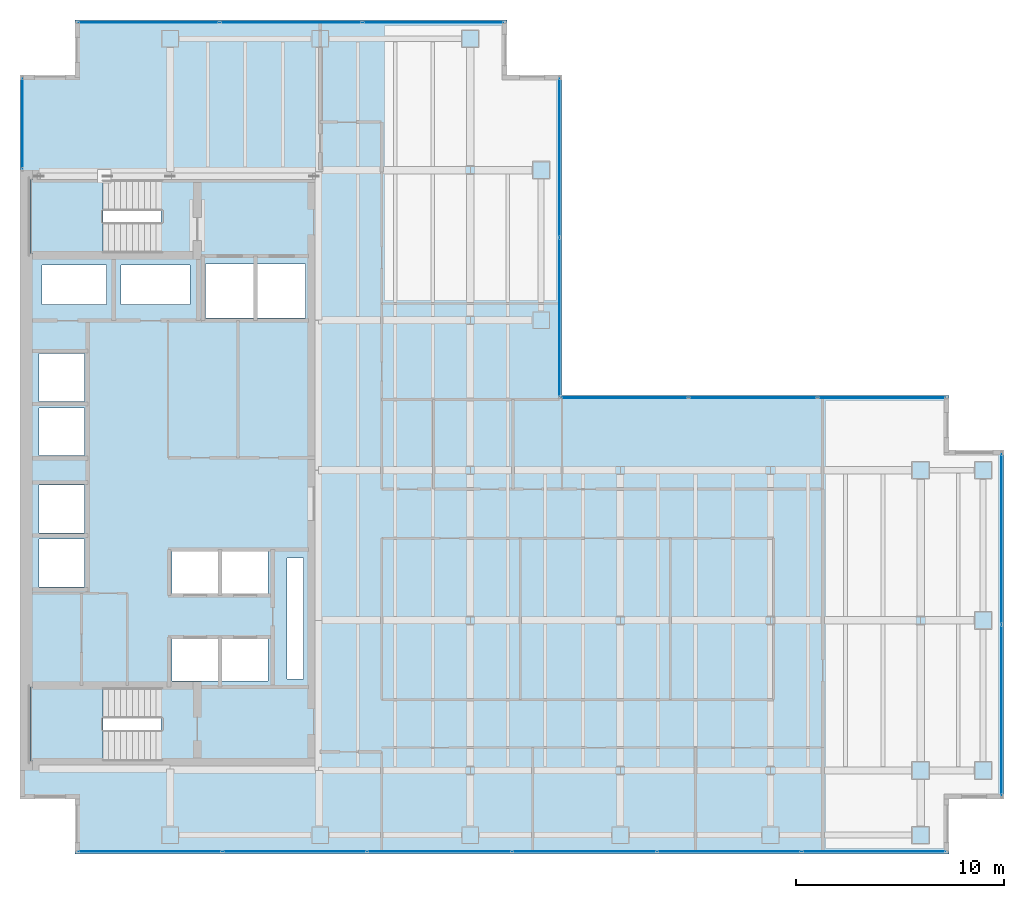
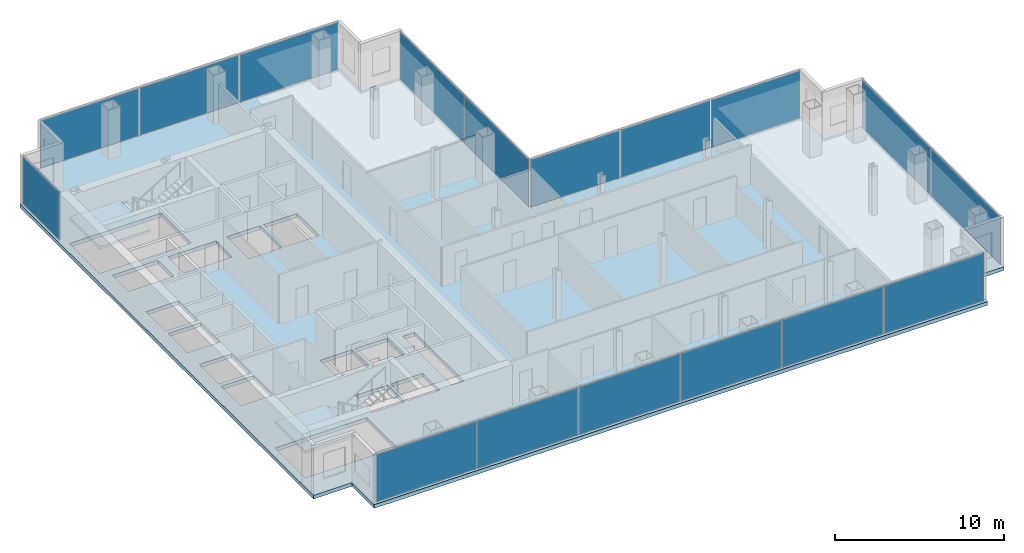
# One storey, part 19 of 24: 17 plates, 3 slabs, 15 openings, 8 elements without a shape of their own.
"""IFC4 building model written with IfcOpenShell, lengths in metres."""

from ifc_helpers import new_model, si_unit, direction, frame, origin, origin_2d, place, context, subcontext, project, spatial, polyline, rectangle, outline, extrude, material, layer, layer_set, type_object, element, aggregate, save


model = new_model("IFC4")

# Units and contexts
model_context = context("Model", 3, precision=1e-05, world=origin(), true_north=direction((0.0, 1.0)))
body_context = subcontext(model_context, "Body", "Model", "MODEL_VIEW")
ifc_project = project(units=[si_unit("LENGTHUNIT", "METRE"), si_unit("AREAUNIT", "SQUARE_METRE"), si_unit("VOLUMEUNIT", "CUBIC_METRE"), si_unit("PLANEANGLEUNIT", "RADIAN"), si_unit("MASSUNIT", "GRAM", prefix="KILO")], contexts=[model_context])

# Site, building, storey
site_placement = place(None, origin())
site = spatial("IfcSite", under=ifc_project, at=site_placement, CompositionType="ELEMENT")
building_placement = place(site_placement, origin())
building = spatial("IfcBuilding", under=site, at=building_placement, Name="Cobrela Telecom Tower", CompositionType="ELEMENT")
storey_placement = place(building_placement, frame((0.0, 0.0, 152.25)))
storey = spatial("IfcBuildingStorey", under=building, at=storey_placement, Name="L38", CompositionType="ELEMENT", Elevation=152.25)

# Curtain wall, plate
ifc_material_1 = material(Name="Anodized Bronze Aluminium 6063-T6", Category="aluminium")
curtain_wall_type = type_object("IfcCurtainWallType", Name="CW-SYS-TEL", PredefinedType="USERDEFINED", material=ifc_material_1)
curtain_wall_1_placement = place(storey_placement, origin())
curtain_wall_1 = element("IfcCurtainWall", 1, at=curtain_wall_1_placement, inside=storey, type_object=curtain_wall_type, Name="L38 Unitised Bronze Curtain Wall 04", ObjectType="UNITISED CURTAIN WALL", PredefinedType="USERDEFINED")
ifc_material_2 = material(Name="Solar-Control Bronze Low-E Glass", Category="glass")
ifc_layer_1 = layer(ifc_material_2, 0.035888671875)
ifc_layer_set_1 = layer_set([ifc_layer_1], Name="Solar-Control Bronze Low-E Glass")
plate_type = type_object("IfcPlateType", Name="CW-SYS-TEL-PNL", PredefinedType="CURTAIN_PANEL", material=ifc_layer_set_1)
plate_1_placement = place(storey_placement, frame((0.1201171875, 38.22509765625, 0.070068359375), z_axis=(0.0, 0.0, 1.0), x_axis=(0.0, 1.0, 0.0)))
plate_1 = element("IfcPlate", 2, at=plate_1_placement, type_object=plate_type, Name="CW-TEL panel 1.1", PredefinedType="CURTAIN_PANEL", context=body_context, shape_type="SweptSolid", body=[
    extrude(rectangle(XDim=4.300048828125, YDim=0.035888671875, at=origin_2d()), origin(), (0.0, 0.0, 1.0), 3.43994140625),
])
aggregate(curtain_wall_1, [plate_1])

# Curtain wall, plates
curtain_wall_2_placement = place(storey_placement, origin())
curtain_wall_2 = element("IfcCurtainWall", 3, at=curtain_wall_2_placement, inside=storey, type_object=curtain_wall_type, Name="L38 Unitised Bronze Curtain Wall 07", ObjectType="UNITISED CURTAIN WALL", PredefinedType="USERDEFINED")
plate_2_placement = place(storey_placement, frame((6.185302734375, 43.080078125, 0.070068359375), z_axis=(0.0, 0.0, 1.0), x_axis=(1.0, 0.0, 0.0)))
plate_2 = element("IfcPlate", 4, at=plate_2_placement, type_object=plate_type, Name="CW-TEL panel 1.1", PredefinedType="CURTAIN_PANEL", context=body_context, shape_type="SweptSolid", body=[
    extrude(rectangle(XDim=6.720947265625, YDim=0.035888671875, at=origin_2d()), origin(), (0.0, 0.0, 1.0), 3.43994140625),
])
plate_3_placement = place(storey_placement, frame((13.0, 43.080078125, 0.070068359375), z_axis=(0.0, 0.0, 1.0), x_axis=(1.0, 0.0, 0.0)))
plate_3 = element("IfcPlate", 5, at=plate_3_placement, type_object=plate_type, Name="CW-TEL panel 2.1", PredefinedType="CURTAIN_PANEL", context=body_context, shape_type="SweptSolid", body=[
    extrude(rectangle(XDim=6.75830078125, YDim=0.035888671875, at=origin_2d()), origin(), (0.0, 0.0, 1.0), 3.43994140625),
])
plate_4_placement = place(storey_placement, frame((19.814697265625, 43.080078125, 0.070068359375), z_axis=(0.0, 0.0, 1.0), x_axis=(1.0, 0.0, 0.0)))
plate_4 = element("IfcPlate", 6, at=plate_4_placement, type_object=plate_type, Name="CW-TEL panel 3.1", PredefinedType="CURTAIN_PANEL", context=body_context, shape_type="SweptSolid", body=[
    extrude(rectangle(XDim=6.720947265625, YDim=0.035888671875, at=origin_2d()), origin(), (0.0, 0.0, 1.0), 3.43994140625),
])
aggregate(curtain_wall_2, [plate_2, plate_3, plate_4])

curtain_wall_3_placement = place(storey_placement, origin())
curtain_wall_3 = element("IfcCurtainWall", 7, at=curtain_wall_3_placement, inside=storey, type_object=curtain_wall_type, Name="L38 Unitised Bronze Curtain Wall 10", ObjectType="UNITISED CURTAIN WALL", PredefinedType="USERDEFINED")
plate_5_placement = place(storey_placement, frame((25.8798828125, 36.5888671875, 0.070068359375), z_axis=(0.0, 0.0, 1.0), x_axis=(0.0, -1.0, 0.0)))
plate_5 = element("IfcPlate", 8, at=plate_5_placement, type_object=plate_type, Name="CW-TEL panel 1.1", PredefinedType="CURTAIN_PANEL", context=body_context, shape_type="SweptSolid", body=[
    extrude(rectangle(XDim=7.572509765625, YDim=0.035888671875, at=origin_2d()), origin(), (0.0, 0.0, 1.0), 3.43994140625),
])
plate_6_placement = place(storey_placement, frame((25.8798828125, 28.941162109375, 0.070068359375), z_axis=(0.0, 0.0, 1.0), x_axis=(0.0, -1.0, 0.0)))
plate_6 = element("IfcPlate", 9, at=plate_6_placement, type_object=plate_type, Name="CW-TEL panel 2.1", PredefinedType="CURTAIN_PANEL", context=body_context, shape_type="SweptSolid", body=[
    extrude(rectangle(XDim=7.572509765625, YDim=0.035888671875, at=origin_2d()), origin(), (0.0, 0.0, 1.0), 3.43994140625),
])
aggregate(curtain_wall_3, [plate_5, plate_6])

curtain_wall_4_placement = place(storey_placement, origin())
curtain_wall_4 = element("IfcCurtainWall", 10, at=curtain_wall_4_placement, inside=storey, type_object=curtain_wall_type, Name="L38 Unitised Bronze Curtain Wall 11", ObjectType="UNITISED CURTAIN WALL", PredefinedType="USERDEFINED")
plate_7_placement = place(storey_placement, frame((28.99365234375, 25.080078125, 0.070068359375), z_axis=(0.0, 0.0, 1.0), x_axis=(1.0, 0.0, 0.0)))
plate_7 = element("IfcPlate", 11, at=plate_7_placement, type_object=plate_type, Name="CW-TEL panel 1.1", PredefinedType="CURTAIN_PANEL", context=body_context, shape_type="SweptSolid", body=[
    extrude(rectangle(XDim=6.077392578125, YDim=0.035888671875, at=origin_2d()), origin(), (0.0, 0.0, 1.0), 3.43994140625),
])
plate_8_placement = place(storey_placement, frame((35.1650390625, 25.080078125, 0.070068359375), z_axis=(0.0, 0.0, 1.0), x_axis=(1.0, 0.0, 0.0)))
plate_8 = element("IfcPlate", 12, at=plate_8_placement, type_object=plate_type, Name="CW-TEL panel 2.1", PredefinedType="CURTAIN_PANEL", context=body_context, shape_type="SweptSolid", body=[
    extrude(rectangle(XDim=6.114990234375, YDim=0.035888671875, at=origin_2d()), origin(), (0.0, 0.0, 1.0), 3.43994140625),
])
plate_9_placement = place(storey_placement, frame((41.336181640625, 25.080078125, 0.070068359375), z_axis=(0.0, 0.0, 1.0), x_axis=(1.0, 0.0, 0.0)))
plate_9 = element("IfcPlate", 13, at=plate_9_placement, type_object=plate_type, Name="CW-TEL panel 3.1", PredefinedType="CURTAIN_PANEL", context=body_context, shape_type="SweptSolid", body=[
    extrude(rectangle(XDim=6.077392578125, YDim=0.035888671875, at=origin_2d()), origin(), (0.0, 0.0, 1.0), 3.43994140625),
])
aggregate(curtain_wall_4, [plate_7, plate_8, plate_9])

curtain_wall_5_placement = place(storey_placement, origin())
curtain_wall_5 = element("IfcCurtainWall", 14, at=curtain_wall_5_placement, inside=storey, type_object=curtain_wall_type, Name="L38 Unitised Bronze Curtain Wall 14", ObjectType="UNITISED CURTAIN WALL", PredefinedType="USERDEFINED")
plate_10_placement = place(storey_placement, frame((47.080078125, 18.30615234375, 0.070068359375), z_axis=(0.0, 0.0, 1.0), x_axis=(0.0, -1.0, 0.0)))
plate_10 = element("IfcPlate", 15, at=plate_10_placement, type_object=plate_type, Name="CW-TEL panel 1.1", PredefinedType="CURTAIN_PANEL", context=body_context, shape_type="SweptSolid", body=[
    extrude(rectangle(XDim=8.137451171875, YDim=0.035888671875, at=origin_2d()), origin(), (0.0, 0.0, 1.0), 3.43994140625),
])
plate_11_placement = place(storey_placement, frame((47.080078125, 10.09375, 0.070068359375), z_axis=(0.0, 0.0, 1.0), x_axis=(0.0, -1.0, 0.0)))
plate_11 = element("IfcPlate", 16, at=plate_11_placement, type_object=plate_type, Name="CW-TEL panel 2.1", PredefinedType="CURTAIN_PANEL", context=body_context, shape_type="SweptSolid", body=[
    extrude(rectangle(XDim=8.137451171875, YDim=0.035888671875, at=origin_2d()), origin(), (0.0, 0.0, 1.0), 3.43994140625),
])
aggregate(curtain_wall_5, [plate_10, plate_11])

curtain_wall_6_placement = place(storey_placement, origin())
curtain_wall_6 = element("IfcCurtainWall", 17, at=curtain_wall_6_placement, inside=storey, type_object=curtain_wall_type, Name="L38 Unitised Bronze Curtain Wall 17", ObjectType="UNITISED CURTAIN WALL", PredefinedType="USERDEFINED")
plate_12_placement = place(storey_placement, frame((40.956298828125, 3.320068359375, 0.070068359375), z_axis=(0.0, 0.0, 1.0), x_axis=(-1.0, 0.0, 0.0)))
plate_12 = element("IfcPlate", 18, at=plate_12_placement, type_object=plate_type, Name="CW-TEL panel 1.1", PredefinedType="CURTAIN_PANEL", context=body_context, shape_type="SweptSolid", body=[
    extrude(rectangle(XDim=6.83740234375, YDim=0.035888671875, at=origin_2d()), origin(), (0.0, 0.0, 1.0), 3.43994140625),
])
plate_13_placement = place(storey_placement, frame((34.02490234375, 3.320068359375, 0.070068359375), z_axis=(0.0, 0.0, 1.0), x_axis=(-1.0, 0.0, 0.0)))
plate_13 = element("IfcPlate", 19, at=plate_13_placement, type_object=plate_type, Name="CW-TEL panel 2.1", PredefinedType="CURTAIN_PANEL", context=body_context, shape_type="SweptSolid", body=[
    extrude(rectangle(XDim=6.875, YDim=0.035888671875, at=origin_2d()), origin(), (0.0, 0.0, 1.0), 3.43994140625),
])
plate_14_placement = place(storey_placement, frame((27.074951171875, 3.320068359375, 0.070068359375), z_axis=(0.0, 0.0, 1.0), x_axis=(-1.0, 0.0, 0.0)))
plate_14 = element("IfcPlate", 20, at=plate_14_placement, type_object=plate_type, Name="CW-TEL panel 3.1", PredefinedType="CURTAIN_PANEL", context=body_context, shape_type="SweptSolid", body=[
    extrude(rectangle(XDim=6.875, YDim=0.035888671875, at=origin_2d()), origin(), (0.0, 0.0, 1.0), 3.43994140625),
])
plate_15_placement = place(storey_placement, frame((20.125, 3.320068359375, 0.070068359375), z_axis=(0.0, 0.0, 1.0), x_axis=(-1.0, 0.0, 0.0)))
plate_15 = element("IfcPlate", 21, at=plate_15_placement, type_object=plate_type, Name="CW-TEL panel 4.1", PredefinedType="CURTAIN_PANEL", context=body_context, shape_type="SweptSolid", body=[
    extrude(rectangle(XDim=6.875, YDim=0.035888671875, at=origin_2d()), origin(), (0.0, 0.0, 1.0), 3.43994140625),
])
plate_16_placement = place(storey_placement, frame((13.175048828125, 3.320068359375, 0.070068359375), z_axis=(0.0, 0.0, 1.0), x_axis=(-1.0, 0.0, 0.0)))
plate_16 = element("IfcPlate", 22, at=plate_16_placement, type_object=plate_type, Name="CW-TEL panel 5.1", PredefinedType="CURTAIN_PANEL", context=body_context, shape_type="SweptSolid", body=[
    extrude(rectangle(XDim=6.875, YDim=0.035888671875, at=origin_2d()), origin(), (0.0, 0.0, 1.0), 3.43994140625),
])
plate_17_placement = place(storey_placement, frame((6.24365234375, 3.320068359375, 0.070068359375), z_axis=(0.0, 0.0, 1.0), x_axis=(-1.0, 0.0, 0.0)))
plate_17 = element("IfcPlate", 23, at=plate_17_placement, type_object=plate_type, Name="CW-TEL panel 6.1", PredefinedType="CURTAIN_PANEL", context=body_context, shape_type="SweptSolid", body=[
    extrude(rectangle(XDim=6.83740234375, YDim=0.035888671875, at=origin_2d()), origin(), (0.0, 0.0, 1.0), 3.43994140625),
])
aggregate(curtain_wall_6, [plate_12, plate_13, plate_14, plate_15, plate_16, plate_17])

# Slab, openings
ifc_material_3 = material(Name="Concrete C40/50", Category="concrete")
ifc_layer_2 = layer(ifc_material_3, 0.27001953125)
ifc_layer_set_2 = layer_set([ifc_layer_2], Name="Concrete C40/50")
slab_type_1 = type_object("IfcSlabType", Name="SLAB-FLR-270", PredefinedType="FLOOR", material=ifc_layer_set_2)
slab_1_placement = place(storey_placement, frame((0.0, 0.0, -0.27001953125)))
slab_1 = element("IfcSlab", 24, at=slab_1_placement, inside=storey, type_object=slab_type_1, Name="L38 Structural Floor Slab", PredefinedType="FLOOR", context=body_context, shape_type="SweptSolid", body=[
    extrude(outline(polyline([(2.6298828125, 3.199951171875), (44.570068359375, 3.199951171875), (44.570068359375, 5.830078125), (47.199951171875, 5.830078125), (47.199951171875, 22.570068359375), (44.570068359375, 22.570068359375), (44.570068359375, 25.199951171875), (26.0, 25.199951171875), (26.0, 40.570068359375), (23.3701171875, 40.570068359375), (23.3701171875, 43.199951171875), (2.6298828125, 43.199951171875), (2.6298828125, 40.570068359375), (0.0, 40.570068359375), (0.0, 5.830078125), (2.6298828125, 5.830078125), (2.6298828125, 3.199951171875)])), origin(), (0.0, 0.0, 1.0), 0.27001953125),
])
opening_1_placement = place(slab_1_placement, frame((0.0, 0.0, -0.02001953125)))
element("IfcOpeningElement", 25, at=opening_1_placement, cuts=slab_1, Name="Slab Shaft Opening SLAB-L38-MAIN.1", PredefinedType="OPENING", context=body_context, shape_type="SweptSolid", body=[
    extrude(outline(polyline([(8.89990234375, 28.89990234375), (11.199951171875, 28.89990234375), (11.199951171875, 31.5), (8.89990234375, 31.5), (8.89990234375, 28.89990234375)])), origin(), (0.0, 0.0, 1.0), 0.31005859375),
])
opening_2_placement = place(slab_1_placement, frame((0.0, 0.0, -0.02001953125)))
element("IfcOpeningElement", 26, at=opening_2_placement, cuts=slab_1, Name="Slab Shaft Opening SLAB-L38-MAIN.2", PredefinedType="OPENING", context=body_context, shape_type="SweptSolid", body=[
    extrude(outline(polyline([(11.39990234375, 28.89990234375), (13.699951171875, 28.89990234375), (13.699951171875, 31.5), (11.39990234375, 31.5), (11.39990234375, 28.89990234375)])), origin(), (0.0, 0.0, 1.0), 0.31005859375),
])
opening_3_placement = place(slab_1_placement, frame((0.0, 0.0, -0.02001953125)))
element("IfcOpeningElement", 27, at=opening_3_placement, cuts=slab_1, Name="Slab Shaft Opening SLAB-L38-MAIN.3", PredefinedType="OPENING", context=body_context, shape_type="SweptSolid", body=[
    extrude(outline(polyline([(7.300048828125, 15.699951171875), (9.5, 15.699951171875), (9.5, 17.699951171875), (7.300048828125, 17.699951171875), (7.300048828125, 15.699951171875)])), origin(), (0.0, 0.0, 1.0), 0.31005859375),
])
opening_4_placement = place(slab_1_placement, frame((0.0, 0.0, -0.02001953125)))
element("IfcOpeningElement", 28, at=opening_4_placement, cuts=slab_1, Name="Slab Shaft Opening SLAB-L38-MAIN.4", PredefinedType="OPENING", context=body_context, shape_type="SweptSolid", body=[
    extrude(outline(polyline([(9.699951171875, 15.699951171875), (11.89990234375, 15.699951171875), (11.89990234375, 17.699951171875), (9.699951171875, 17.699951171875), (9.699951171875, 15.699951171875)])), origin(), (0.0, 0.0, 1.0), 0.31005859375),
])
opening_5_placement = place(slab_1_placement, frame((0.0, 0.0, -0.02001953125)))
element("IfcOpeningElement", 29, at=opening_5_placement, cuts=slab_1, Name="Slab Shaft Opening SLAB-L38-MAIN.5", PredefinedType="OPENING", context=body_context, shape_type="SweptSolid", body=[
    extrude(outline(polyline([(7.300048828125, 11.5), (9.5, 11.5), (9.5, 13.5), (7.300048828125, 13.5), (7.300048828125, 11.5)])), origin(), (0.0, 0.0, 1.0), 0.31005859375),
])
opening_6_placement = place(slab_1_placement, frame((0.0, 0.0, -0.02001953125)))
element("IfcOpeningElement", 30, at=opening_6_placement, cuts=slab_1, Name="Slab Shaft Opening SLAB-L38-MAIN.6", PredefinedType="OPENING", context=body_context, shape_type="SweptSolid", body=[
    extrude(outline(polyline([(9.699951171875, 11.5), (11.89990234375, 11.5), (11.89990234375, 13.5), (9.699951171875, 13.5), (9.699951171875, 11.5)])), origin(), (0.0, 0.0, 1.0), 0.31005859375),
])
opening_7_placement = place(slab_1_placement, frame((0.0, 0.0, -0.02001953125)))
element("IfcOpeningElement", 31, at=opening_7_placement, cuts=slab_1, Name="Slab Shaft Opening SLAB-L38-MAIN.7", PredefinedType="OPENING", context=body_context, shape_type="SweptSolid", body=[
    extrude(outline(polyline([(0.89990234375, 16.0), (3.10009765625, 16.0), (3.10009765625, 18.300048828125), (0.89990234375, 18.300048828125), (0.89990234375, 16.0)])), origin(), (0.0, 0.0, 1.0), 0.31005859375),
])
opening_8_placement = place(slab_1_placement, frame((0.0, 0.0, -0.02001953125)))
element("IfcOpeningElement", 32, at=opening_8_placement, cuts=slab_1, Name="Slab Shaft Opening SLAB-L38-MAIN.8", PredefinedType="OPENING", context=body_context, shape_type="SweptSolid", body=[
    extrude(outline(polyline([(0.89990234375, 18.60009765625), (3.10009765625, 18.60009765625), (3.10009765625, 20.89990234375), (0.89990234375, 20.89990234375), (0.89990234375, 18.60009765625)])), origin(), (0.0, 0.0, 1.0), 0.31005859375),
])
opening_9_placement = place(slab_1_placement, frame((0.0, 0.0, -0.02001953125)))
element("IfcOpeningElement", 33, at=opening_9_placement, cuts=slab_1, Name="Slab Shaft Opening SLAB-L38-MAIN.9", PredefinedType="OPENING", context=body_context, shape_type="SweptSolid", body=[
    extrude(outline(polyline([(0.89990234375, 22.300048828125), (3.10009765625, 22.300048828125), (3.10009765625, 24.60009765625), (0.89990234375, 24.60009765625), (0.89990234375, 22.300048828125)])), origin(), (0.0, 0.0, 1.0), 0.31005859375),
])
opening_10_placement = place(slab_1_placement, frame((0.0, 0.0, -0.02001953125)))
element("IfcOpeningElement", 34, at=opening_10_placement, cuts=slab_1, Name="Slab Shaft Opening SLAB-L38-MAIN.10", PredefinedType="OPENING", context=body_context, shape_type="SweptSolid", body=[
    extrude(outline(polyline([(0.89990234375, 24.89990234375), (3.10009765625, 24.89990234375), (3.10009765625, 27.199951171875), (0.89990234375, 27.199951171875), (0.89990234375, 24.89990234375)])), origin(), (0.0, 0.0, 1.0), 0.31005859375),
])
opening_11_placement = place(slab_1_placement, frame((0.0, 0.0, -0.02001953125)))
element("IfcOpeningElement", 35, at=opening_11_placement, cuts=slab_1, Name="Slab Shaft Opening SLAB-L38-MAIN.11", PredefinedType="OPENING", context=body_context, shape_type="SweptSolid", body=[
    extrude(outline(polyline([(1.050048828125, 29.550048828125), (4.14990234375, 29.550048828125), (4.14990234375, 31.449951171875), (1.050048828125, 31.449951171875), (1.050048828125, 29.550048828125)])), origin(), (0.0, 0.0, 1.0), 0.31005859375),
])
opening_12_placement = place(slab_1_placement, frame((0.0, 0.0, -0.02001953125)))
element("IfcOpeningElement", 36, at=opening_12_placement, cuts=slab_1, Name="Slab Shaft Opening SLAB-L38-MAIN.12", PredefinedType="OPENING", context=body_context, shape_type="SweptSolid", body=[
    extrude(outline(polyline([(4.85009765625, 29.550048828125), (8.14990234375, 29.550048828125), (8.14990234375, 31.449951171875), (4.85009765625, 31.449951171875), (4.85009765625, 29.550048828125)])), origin(), (0.0, 0.0, 1.0), 0.31005859375),
])
opening_13_placement = place(slab_1_placement, frame((0.0, 0.0, -0.02001953125)))
element("IfcOpeningElement", 37, at=opening_13_placement, cuts=slab_1, Name="Slab Shaft Opening SLAB-L38-MAIN.13", PredefinedType="OPENING", context=body_context, shape_type="SweptSolid", body=[
    extrude(outline(polyline([(12.800048828125, 11.60009765625), (13.60009765625, 11.60009765625), (13.60009765625, 17.39990234375), (12.800048828125, 17.39990234375), (12.800048828125, 11.60009765625)])), origin(), (0.0, 0.0, 1.0), 0.31005859375),
])
opening_14_placement = place(slab_1_placement, frame((0.0, 0.0, -0.02001953125)))
element("IfcOpeningElement", 38, at=opening_14_placement, cuts=slab_1, Name="Slab Shaft Opening SLAB-L38-MAIN.14", PredefinedType="OPENING", context=body_context, shape_type="SweptSolid", body=[
    extrude(outline(polyline([(6.7548828125, 35.550048828125), (0.47998046875, 35.550048828125), (0.47998046875, 32.0), (6.7548828125, 32.0), (6.7548828125, 35.550048828125)])), origin(), (0.0, 0.0, 1.0), 0.31005859375),
])
opening_15_placement = place(slab_1_placement, frame((0.0, 0.0, -0.02001953125)))
element("IfcOpeningElement", 39, at=opening_15_placement, cuts=slab_1, Name="Slab Shaft Opening SLAB-L38-MAIN.15", PredefinedType="OPENING", context=body_context, shape_type="SweptSolid", body=[
    extrude(outline(polyline([(6.7548828125, 11.199951171875), (0.47998046875, 11.199951171875), (0.47998046875, 7.64990234375), (6.7548828125, 7.64990234375), (6.7548828125, 11.199951171875)])), origin(), (0.0, 0.0, 1.0), 0.31005859375),
])

# Stair, slab
stair_type = type_object("IfcStairType", Name="STAIR-CORE", PredefinedType="HALF_TURN_STAIR", material=ifc_material_3)
stair_1_placement = place(storey_placement, origin())
stair_1 = element("IfcStair", 40, at=stair_1_placement, inside=storey, type_object=stair_type, Name="L38 Smokeproof Exit Stair ST1", PredefinedType="HALF_TURN_STAIR")
ifc_layer_3 = layer(ifc_material_3, 0.199951171875)
ifc_layer_set_3 = layer_set([ifc_layer_3], Name="Concrete C40/50")
slab_type_2 = type_object("IfcSlabType", Name="SLAB-LAND-200", PredefinedType="LANDING", material=ifc_layer_set_3)
slab_2_placement = place(storey_placement, frame((0.0, 0.0, 1.72509765625)))
slab_2 = element("IfcSlab", 41, at=slab_2_placement, type_object=slab_type_2, Name="ST1 landing 1", PredefinedType="LANDING", context=body_context, shape_type="SweptSolid", body=[
    extrude(outline(polyline([(3.969970703125, 35.550048828125), (0.47998046875, 35.550048828125), (0.47998046875, 32.0), (3.969970703125, 32.0), (3.969970703125, 35.550048828125)])), origin(), (0.0, 0.0, 1.0), 0.199951171875),
])
aggregate(stair_1, [slab_2])

stair_2_placement = place(storey_placement, origin())
stair_2 = element("IfcStair", 42, at=stair_2_placement, inside=storey, type_object=stair_type, Name="L38 Smokeproof Exit Stair ST2", PredefinedType="HALF_TURN_STAIR")
slab_3_placement = place(storey_placement, frame((0.0, 0.0, 1.72509765625)))
slab_3 = element("IfcSlab", 43, at=slab_3_placement, type_object=slab_type_2, Name="ST2 landing 1", PredefinedType="LANDING", context=body_context, shape_type="SweptSolid", body=[
    extrude(outline(polyline([(3.969970703125, 11.199951171875), (0.47998046875, 11.199951171875), (0.47998046875, 7.64990234375), (3.969970703125, 7.64990234375), (3.969970703125, 11.199951171875)])), origin(), (0.0, 0.0, 1.0), 0.199951171875),
])
aggregate(stair_2, [slab_3])

save(model, "model.ifc")
